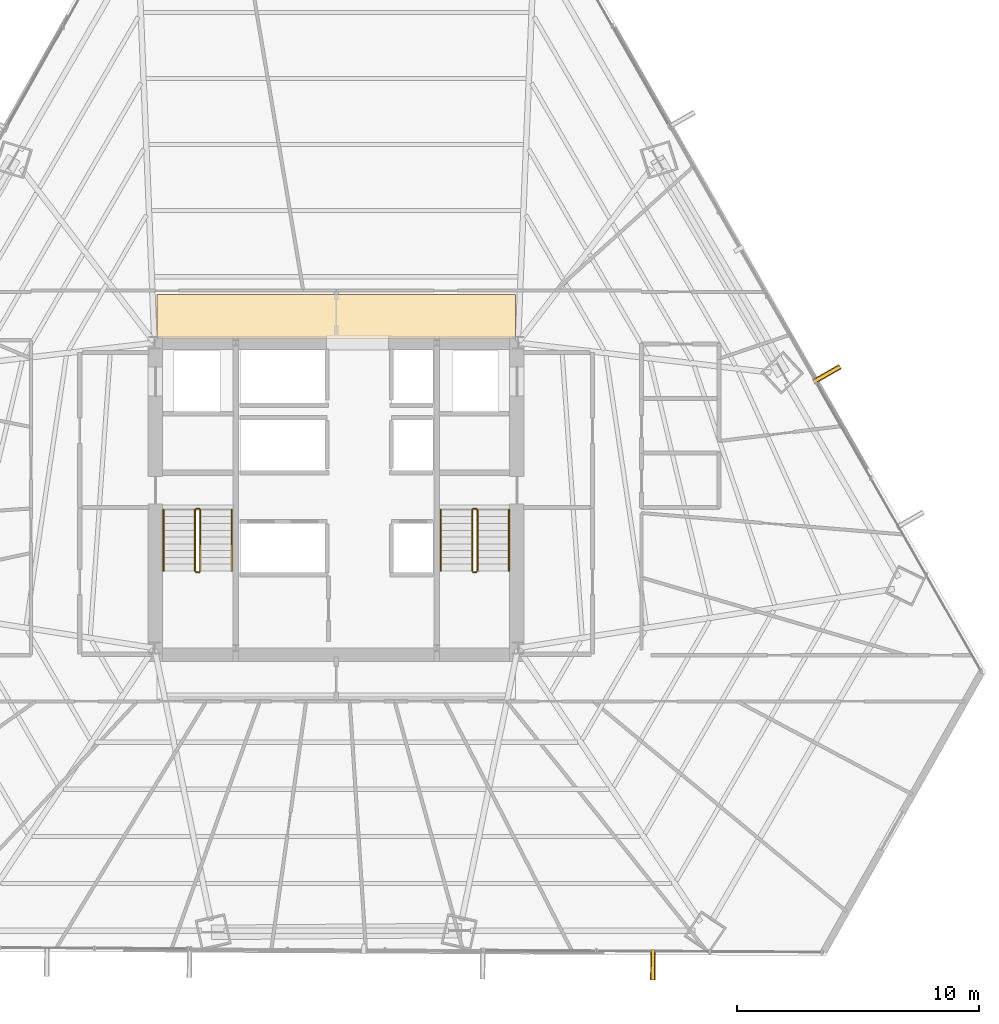
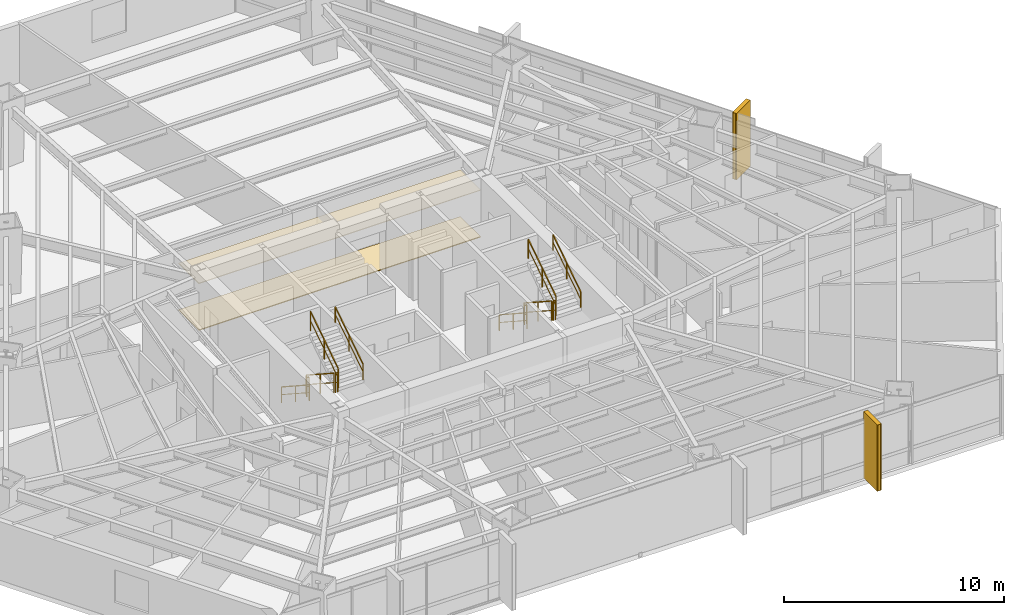
# One storey, part 38 of 39: 12 railings, 4 coverings, 2 shading devices.
"""IFC4 building model written with IfcOpenShell, lengths in metres."""

from ifc_helpers import new_model, si_unit, direction, frame, origin, origin_2d, place, context, subcontext, project, spatial, polyline, rectangle, outline, extrude, source, transform, mapped, material, layer, layer_set, type_object, type_shapes, element, save


model = new_model("IFC4")

# Units and contexts
model_context = context("Model", 3, precision=1e-05, world=origin(), true_north=direction((0.0, 1.0)))
body_context = subcontext(model_context, "Body", "Model", "MODEL_VIEW")
ifc_project = project(units=[si_unit("LENGTHUNIT", "METRE"), si_unit("AREAUNIT", "SQUARE_METRE"), si_unit("VOLUMEUNIT", "CUBIC_METRE"), si_unit("PLANEANGLEUNIT", "RADIAN"), si_unit("MASSUNIT", "GRAM", prefix="KILO")], contexts=[model_context])

# Site, building, storey
site_placement = place(None, origin())
site = spatial("IfcSite", under=ifc_project, at=site_placement, CompositionType="ELEMENT")
building_placement = place(site_placement, origin())
building = spatial("IfcBuilding", under=site, at=building_placement, Name="Caelisora Broadcast Tower", CompositionType="ELEMENT")
storey_placement = place(building_placement, frame((0.0, 0.0, 71.39990234375)))
storey = spatial("IfcBuildingStorey", under=building, at=storey_placement, Name="L18", CompositionType="ELEMENT", Elevation=71.39990234375)

# Coverings
ifc_material_1 = material(Name="Perforated Mineral-Fibre Acoustic Ceiling Tile", Category="gypsum")
ifc_layer_1 = layer(ifc_material_1, 0.034912109375, Name="Perforated Mineral-Fibre Acoustic Ceiling Tile")
ifc_layer_set_1 = layer_set([ifc_layer_1], Name="Perforated Mineral-Fibre Acoustic Ceiling Tile")
covering_type_1 = type_object("IfcCoveringType", Name="CE-1", PredefinedType="CEILING", material=ifc_layer_set_1)
covering_1_placement = place(storey_placement, frame((0.0, 0.0, 2.60009765625)))
element("IfcCovering", 1, at=covering_1_placement, inside=storey, type_object=covering_type_1, Name="L18 acoustic corridor ceiling CE-1 (N)", PredefinedType="CEILING", context=body_context, shape_type="SweptSolid", body=[
    extrude(outline(polyline([(30.60009765625, 30.14990234375), (45.39990234375, 30.14990234375), (45.39990234375, 32.0), (30.60009765625, 32.0), (30.60009765625, 30.14990234375)])), origin(), (0.0, 0.0, 1.0), 0.034912109375),
])
ifc_material_2 = material(Name="Anti-Static Broadcast Raised Access Floor Panel", Category="steel")
ifc_layer_2 = layer(ifc_material_2, 0.044921875, Name="Anti-Static Broadcast Raised Access Floor Panel")
ifc_layer_set_2 = layer_set([ifc_layer_2], Name="Anti-Static Broadcast Raised Access Floor Panel")
covering_type_2 = type_object("IfcCoveringType", Name="FL-1", PredefinedType="FLOORING", material=ifc_layer_set_2)
covering_2_placement = place(storey_placement, origin())
element("IfcCovering", 2, at=covering_2_placement, inside=storey, type_object=covering_type_2, Name="L18 broadcast raised access floor FL-1 (N)", PredefinedType="FLOORING", context=body_context, shape_type="SweptSolid", body=[
    extrude(outline(polyline([(30.60009765625, 30.14990234375), (45.39990234375, 30.14990234375), (45.39990234375, 32.0), (30.60009765625, 32.0), (30.60009765625, 30.14990234375)])), origin(), (0.0, 0.0, 1.0), 0.045166015625),
])

# Railings
ifc_material_3 = material(Name="Galvanised Steel Safety Guardrail", Category="steel")
ifc_layer_3 = layer(ifc_material_3, 0.048095703125, Name="Galvanised Steel Safety Guardrail")
ifc_layer_set_3 = layer_set([ifc_layer_3], Name="Galvanised Steel Safety Guardrail")
railing_type_1 = type_object("IfcRailingType", Name="GR-1", PredefinedType="GUARDRAIL", material=ifc_layer_set_3)
railing_1_placement = place(storey_placement, frame((32.169921875, 23.10009765625, 0.1826171875)))
element("IfcRailing", 3, at=railing_1_placement, inside=storey, type_object=railing_type_1, Name="L18 ST-1 stair guard 1", PredefinedType="GUARDRAIL", context=body_context, shape_type="SweptSolid", body=[
    extrude(rectangle(XDim=0.048095703125, YDim=0.048095703125, at=origin_2d()), frame((0.0, 0.0, 1.076171875), z_axis=(0.0, -0.837749427056, 0.546054848405), x_axis=(1.0, 0.0, 0.0)), (0.0, 0.0, 1.0), 3.008056640625),
    extrude(rectangle(XDim=0.03125, YDim=0.03125, at=origin_2d()), frame((0.0, 0.0, 0.550048828125), z_axis=(0.0, -0.837749427056, 0.546054848405), x_axis=(1.0, 0.0, 0.0)), (0.0, 0.0, 1.0), 3.008056640625),
    extrude(rectangle(XDim=0.0419921875, YDim=0.0419921875, at=origin_2d()), origin(), (0.0, 0.0, 1.0), 1.052001953125),
    extrude(rectangle(XDim=0.0419921875, YDim=0.0419921875, at=origin_2d()), frame((0.0, -1.260009765625, 0.8212890625)), (0.0, 0.0, 1.0), 1.052001953125),
    extrude(rectangle(XDim=0.0419921875, YDim=0.0419921875, at=origin_2d()), frame((0.0, -2.52001953125, 1.642578125)), (0.0, 0.0, 1.0), 1.052001953125),
])
railing_2_placement = place(storey_placement, frame((32.219970703125, 20.530029296875, 1.8251953125)))
element("IfcRailing", 4, at=railing_2_placement, inside=storey, type_object=railing_type_1, Name="L18 ST-1 stair guard 2", PredefinedType="GUARDRAIL", context=body_context, shape_type="SweptSolid", body=[
    extrude(rectangle(XDim=0.048095703125, YDim=0.048095703125, at=origin_2d()), frame((0.0, 0.0, 1.076171875), z_axis=(1.0, 0.0, 0.0), x_axis=(0.0, 1.0, 0.0)), (0.0, 0.0, 1.0), 0.1201171875),
    extrude(rectangle(XDim=0.03125, YDim=0.03125, at=origin_2d()), frame((0.0, 0.0, 0.550048828125), z_axis=(1.0, 0.0, 0.0), x_axis=(0.0, 1.0, 0.0)), (0.0, 0.0, 1.0), 0.1201171875),
    extrude(rectangle(XDim=0.0419921875, YDim=0.0419921875, at=origin_2d()), origin(), (0.0, 0.0, 1.0), 1.052001953125),
    extrude(rectangle(XDim=0.0419921875, YDim=0.0419921875, at=origin_2d()), frame((0.1201171875, 0.0, 0.0)), (0.0, 0.0, 1.0), 1.052001953125),
])
railing_3_placement = place(storey_placement, frame((32.389892578125, 20.580078125, 2.007568359375)))
element("IfcRailing", 5, at=railing_3_placement, inside=storey, type_object=railing_type_1, Name="L18 ST-1 stair guard 3", PredefinedType="GUARDRAIL", context=body_context, shape_type="SweptSolid", body=[
    extrude(rectangle(XDim=0.048095703125, YDim=0.048095703125, at=origin_2d()), frame((0.0, 0.0, 1.076171875), z_axis=(0.0, 0.837749427056, 0.546054848405), x_axis=(-1.0, 0.0, 0.0)), (0.0, 0.0, 1.0), 3.008056640625),
    extrude(rectangle(XDim=0.03125, YDim=0.03125, at=origin_2d()), frame((0.0, 0.0, 0.550048828125), z_axis=(0.0, 0.837749427056, 0.546054848405), x_axis=(-1.0, 0.0, 0.0)), (0.0, 0.0, 1.0), 3.008056640625),
    extrude(rectangle(XDim=0.0419921875, YDim=0.0419921875, at=origin_2d()), origin(), (0.0, 0.0, 1.0), 1.052001953125),
    extrude(rectangle(XDim=0.0419921875, YDim=0.0419921875, at=origin_2d()), frame((0.0, 1.260009765625, 0.8212890625)), (0.0, 0.0, 1.0), 1.052001953125),
    extrude(rectangle(XDim=0.0419921875, YDim=0.0419921875, at=origin_2d()), frame((0.0, 2.52001953125, 1.642578125)), (0.0, 0.0, 1.0), 1.052001953125),
])
railing_4_placement = place(storey_placement, frame((32.219970703125, 23.14990234375, 0.0)))
element("IfcRailing", 6, at=railing_4_placement, inside=storey, type_object=railing_type_1, Name="L18 ST-1 stair guard 4", PredefinedType="GUARDRAIL", context=body_context, shape_type="SweptSolid", body=[
    extrude(rectangle(XDim=0.048095703125, YDim=0.048095703125, at=origin_2d()), frame((0.0, 0.0, 1.076171875), z_axis=(1.0, 0.0, 0.0), x_axis=(0.0, 1.0, 0.0)), (0.0, 0.0, 1.0), 0.1201171875),
    extrude(rectangle(XDim=0.03125, YDim=0.03125, at=origin_2d()), frame((0.0, 0.0, 0.550048828125), z_axis=(1.0, 0.0, 0.0), x_axis=(0.0, 1.0, 0.0)), (0.0, 0.0, 1.0), 0.1201171875),
    extrude(rectangle(XDim=0.0419921875, YDim=0.0419921875, at=origin_2d()), origin(), (0.0, 0.0, 1.0), 1.052001953125),
    extrude(rectangle(XDim=0.0419921875, YDim=0.0419921875, at=origin_2d()), frame((0.1201171875, 0.0, 0.0)), (0.0, 0.0, 1.0), 1.052001953125),
])
railing_5_placement = place(storey_placement, frame((43.610107421875, 23.10009765625, 0.1826171875)))
element("IfcRailing", 7, at=railing_5_placement, inside=storey, type_object=railing_type_1, Name="L18 ST-2 stair guard 1", PredefinedType="GUARDRAIL", context=body_context, shape_type="SweptSolid", body=[
    extrude(rectangle(XDim=0.048095703125, YDim=0.048095703125, at=origin_2d()), frame((0.0, 0.0, 1.076171875), z_axis=(0.0, -0.837749427056, 0.546054848405), x_axis=(1.0, 0.0, 0.0)), (0.0, 0.0, 1.0), 3.008056640625),
    extrude(rectangle(XDim=0.03125, YDim=0.03125, at=origin_2d()), frame((0.0, 0.0, 0.550048828125), z_axis=(0.0, -0.837749427056, 0.546054848405), x_axis=(1.0, 0.0, 0.0)), (0.0, 0.0, 1.0), 3.008056640625),
    extrude(rectangle(XDim=0.0419921875, YDim=0.0419921875, at=origin_2d()), origin(), (0.0, 0.0, 1.0), 1.052001953125),
    extrude(rectangle(XDim=0.0419921875, YDim=0.0419921875, at=origin_2d()), frame((0.0, -1.260009765625, 0.8212890625)), (0.0, 0.0, 1.0), 1.052001953125),
    extrude(rectangle(XDim=0.0419921875, YDim=0.0419921875, at=origin_2d()), frame((0.0, -2.52001953125, 1.642578125)), (0.0, 0.0, 1.0), 1.052001953125),
])
railing_6_placement = place(storey_placement, frame((43.659912109375, 20.530029296875, 1.8251953125)))
element("IfcRailing", 8, at=railing_6_placement, inside=storey, type_object=railing_type_1, Name="L18 ST-2 stair guard 2", PredefinedType="GUARDRAIL", context=body_context, shape_type="SweptSolid", body=[
    extrude(rectangle(XDim=0.048095703125, YDim=0.048095703125, at=origin_2d()), frame((0.0, 0.0, 1.076171875), z_axis=(1.0, 0.0, 0.0), x_axis=(0.0, 1.0, 0.0)), (0.0, 0.0, 1.0), 0.1201171875),
    extrude(rectangle(XDim=0.03125, YDim=0.03125, at=origin_2d()), frame((0.0, 0.0, 0.550048828125), z_axis=(1.0, 0.0, 0.0), x_axis=(0.0, 1.0, 0.0)), (0.0, 0.0, 1.0), 0.1201171875),
    extrude(rectangle(XDim=0.0419921875, YDim=0.0419921875, at=origin_2d()), origin(), (0.0, 0.0, 1.0), 1.052001953125),
    extrude(rectangle(XDim=0.0419921875, YDim=0.0419921875, at=origin_2d()), frame((0.1201171875, 0.0, 0.0)), (0.0, 0.0, 1.0), 1.052001953125),
])
railing_7_placement = place(storey_placement, frame((43.830078125, 20.580078125, 2.007568359375)))
element("IfcRailing", 9, at=railing_7_placement, inside=storey, type_object=railing_type_1, Name="L18 ST-2 stair guard 3", PredefinedType="GUARDRAIL", context=body_context, shape_type="SweptSolid", body=[
    extrude(rectangle(XDim=0.048095703125, YDim=0.048095703125, at=origin_2d()), frame((0.0, 0.0, 1.076171875), z_axis=(0.0, 0.837749427056, 0.546054848405), x_axis=(-1.0, 0.0, 0.0)), (0.0, 0.0, 1.0), 3.008056640625),
    extrude(rectangle(XDim=0.03125, YDim=0.03125, at=origin_2d()), frame((0.0, 0.0, 0.550048828125), z_axis=(0.0, 0.837749427056, 0.546054848405), x_axis=(-1.0, 0.0, 0.0)), (0.0, 0.0, 1.0), 3.008056640625),
    extrude(rectangle(XDim=0.0419921875, YDim=0.0419921875, at=origin_2d()), origin(), (0.0, 0.0, 1.0), 1.052001953125),
    extrude(rectangle(XDim=0.0419921875, YDim=0.0419921875, at=origin_2d()), frame((0.0, 1.260009765625, 0.8212890625)), (0.0, 0.0, 1.0), 1.052001953125),
    extrude(rectangle(XDim=0.0419921875, YDim=0.0419921875, at=origin_2d()), frame((0.0, 2.52001953125, 1.642578125)), (0.0, 0.0, 1.0), 1.052001953125),
])
railing_8_placement = place(storey_placement, frame((43.659912109375, 23.14990234375, 0.0)))
element("IfcRailing", 10, at=railing_8_placement, inside=storey, type_object=railing_type_1, Name="L18 ST-2 stair guard 4", PredefinedType="GUARDRAIL", context=body_context, shape_type="SweptSolid", body=[
    extrude(rectangle(XDim=0.048095703125, YDim=0.048095703125, at=origin_2d()), frame((0.0, 0.0, 1.076171875), z_axis=(1.0, 0.0, 0.0), x_axis=(0.0, 1.0, 0.0)), (0.0, 0.0, 1.0), 0.1201171875),
    extrude(rectangle(XDim=0.03125, YDim=0.03125, at=origin_2d()), frame((0.0, 0.0, 0.550048828125), z_axis=(1.0, 0.0, 0.0), x_axis=(0.0, 1.0, 0.0)), (0.0, 0.0, 1.0), 0.1201171875),
    extrude(rectangle(XDim=0.0419921875, YDim=0.0419921875, at=origin_2d()), origin(), (0.0, 0.0, 1.0), 1.052001953125),
    extrude(rectangle(XDim=0.0419921875, YDim=0.0419921875, at=origin_2d()), frame((0.1201171875, 0.0, 0.0)), (0.0, 0.0, 1.0), 1.052001953125),
])
ifc_material_4 = material(Name="Stainless Steel Grade 316 Tubular Handrail", Category="steel")
ifc_layer_4 = layer(ifc_material_4, 0.048095703125, Name="Stainless Steel Grade 316 Tubular Handrail")
ifc_layer_set_4 = layer_set([ifc_layer_4], Name="Stainless Steel Grade 316 Tubular Handrail")
railing_type_2 = type_object("IfcRailingType", Name="HR-1", PredefinedType="HANDRAIL", material=ifc_layer_set_4)
railing_9_placement = place(storey_placement, frame((30.8701171875, 23.10009765625, 0.1826171875)))
element("IfcRailing", 11, at=railing_9_placement, inside=storey, type_object=railing_type_2, Name="L18 ST-1 stair handrail 1", PredefinedType="HANDRAIL", context=body_context, shape_type="SweptSolid", body=[
    extrude(rectangle(XDim=0.048095703125, YDim=0.048095703125, at=origin_2d()), frame((0.0, 0.0, 0.8759765625), z_axis=(0.0, -0.837749427056, 0.546054848405), x_axis=(1.0, 0.0, 0.0)), (0.0, 0.0, 1.0), 3.008056640625),
    extrude(rectangle(XDim=0.03125, YDim=0.03125, at=origin_2d()), frame((0.0, 0.0, 0.449951171875), z_axis=(0.0, -0.837749427056, 0.546054848405), x_axis=(1.0, 0.0, 0.0)), (0.0, 0.0, 1.0), 3.008056640625),
    extrude(rectangle(XDim=0.0419921875, YDim=0.0419921875, at=origin_2d()), origin(), (0.0, 0.0, 1.0), 0.851806640625),
    extrude(rectangle(XDim=0.0419921875, YDim=0.0419921875, at=origin_2d()), frame((0.0, -1.260009765625, 0.8212890625)), (0.0, 0.0, 1.0), 0.851806640625),
    extrude(rectangle(XDim=0.0419921875, YDim=0.0419921875, at=origin_2d()), frame((0.0, -2.52001953125, 1.642578125)), (0.0, 0.0, 1.0), 0.851806640625),
])
railing_10_placement = place(storey_placement, frame((33.68994140625, 20.580078125, 2.007568359375)))
element("IfcRailing", 12, at=railing_10_placement, inside=storey, type_object=railing_type_2, Name="L18 ST-1 stair handrail 2", PredefinedType="HANDRAIL", context=body_context, shape_type="SweptSolid", body=[
    extrude(rectangle(XDim=0.048095703125, YDim=0.048095703125, at=origin_2d()), frame((0.0, 0.0, 0.8759765625), z_axis=(0.0, 0.837749427056, 0.546054848405), x_axis=(-1.0, 0.0, 0.0)), (0.0, 0.0, 1.0), 3.008056640625),
    extrude(rectangle(XDim=0.03125, YDim=0.03125, at=origin_2d()), frame((0.0, 0.0, 0.449951171875), z_axis=(0.0, 0.837749427056, 0.546054848405), x_axis=(-1.0, 0.0, 0.0)), (0.0, 0.0, 1.0), 3.008056640625),
    extrude(rectangle(XDim=0.0419921875, YDim=0.0419921875, at=origin_2d()), origin(), (0.0, 0.0, 1.0), 0.851806640625),
    extrude(rectangle(XDim=0.0419921875, YDim=0.0419921875, at=origin_2d()), frame((0.0, 1.260009765625, 0.8212890625)), (0.0, 0.0, 1.0), 0.851806640625),
    extrude(rectangle(XDim=0.0419921875, YDim=0.0419921875, at=origin_2d()), frame((0.0, 2.52001953125, 1.642578125)), (0.0, 0.0, 1.0), 0.851806640625),
])
railing_11_placement = place(storey_placement, frame((42.31005859375, 23.10009765625, 0.1826171875)))
element("IfcRailing", 13, at=railing_11_placement, inside=storey, type_object=railing_type_2, Name="L18 ST-2 stair handrail 1", PredefinedType="HANDRAIL", context=body_context, shape_type="SweptSolid", body=[
    extrude(rectangle(XDim=0.048095703125, YDim=0.048095703125, at=origin_2d()), frame((0.0, 0.0, 0.8759765625), z_axis=(0.0, -0.837749427056, 0.546054848405), x_axis=(1.0, 0.0, 0.0)), (0.0, 0.0, 1.0), 3.008056640625),
    extrude(rectangle(XDim=0.03125, YDim=0.03125, at=origin_2d()), frame((0.0, 0.0, 0.449951171875), z_axis=(0.0, -0.837749427056, 0.546054848405), x_axis=(1.0, 0.0, 0.0)), (0.0, 0.0, 1.0), 3.008056640625),
    extrude(rectangle(XDim=0.0419921875, YDim=0.0419921875, at=origin_2d()), origin(), (0.0, 0.0, 1.0), 0.851806640625),
    extrude(rectangle(XDim=0.0419921875, YDim=0.0419921875, at=origin_2d()), frame((0.0, -1.260009765625, 0.8212890625)), (0.0, 0.0, 1.0), 0.851806640625),
    extrude(rectangle(XDim=0.0419921875, YDim=0.0419921875, at=origin_2d()), frame((0.0, -2.52001953125, 1.642578125)), (0.0, 0.0, 1.0), 0.851806640625),
])
railing_12_placement = place(storey_placement, frame((45.1298828125, 20.580078125, 2.007568359375)))
element("IfcRailing", 14, at=railing_12_placement, inside=storey, type_object=railing_type_2, Name="L18 ST-2 stair handrail 2", PredefinedType="HANDRAIL", context=body_context, shape_type="SweptSolid", body=[
    extrude(rectangle(XDim=0.048095703125, YDim=0.048095703125, at=origin_2d()), frame((0.0, 0.0, 0.8759765625), z_axis=(0.0, 0.837749427056, 0.546054848405), x_axis=(-1.0, 0.0, 0.0)), (0.0, 0.0, 1.0), 3.008056640625),
    extrude(rectangle(XDim=0.03125, YDim=0.03125, at=origin_2d()), frame((0.0, 0.0, 0.449951171875), z_axis=(0.0, 0.837749427056, 0.546054848405), x_axis=(-1.0, 0.0, 0.0)), (0.0, 0.0, 1.0), 3.008056640625),
    extrude(rectangle(XDim=0.0419921875, YDim=0.0419921875, at=origin_2d()), origin(), (0.0, 0.0, 1.0), 0.851806640625),
    extrude(rectangle(XDim=0.0419921875, YDim=0.0419921875, at=origin_2d()), frame((0.0, 1.260009765625, 0.8212890625)), (0.0, 0.0, 1.0), 0.851806640625),
    extrude(rectangle(XDim=0.0419921875, YDim=0.0419921875, at=origin_2d()), frame((0.0, 2.52001953125, 1.642578125)), (0.0, 0.0, 1.0), 0.851806640625),
])

# Coverings
ifc_material_5 = material(Name="Kiln-Fired Terracotta Spandrel Rainscreen Cladding", Category="ceramic")
ifc_layer_5 = layer(ifc_material_5, 0.044921875, Name="Kiln-Fired Terracotta Spandrel Rainscreen Cladding")
ifc_layer_set_5 = layer_set([ifc_layer_5], Name="Kiln-Fired Terracotta Spandrel Rainscreen Cladding")
covering_type_3 = type_object("IfcCoveringType", Name="CL-1", PredefinedType="CLADDING", material=ifc_layer_set_5)
shared_shape_1 = source(origin(), body_context, "Body", "SweptSolid", [
    extrude(rectangle(XDim=0.219970703125, YDim=1.25, at=origin_2d()), origin(), (0.0, 0.0, 1.0), 3.68994140625),
])
type_shapes(covering_type_3, [shared_shape_1])
for number, where, z_axis, x_axis, name in (
    (15, (58.254638671875, 28.7021484375, -0.019775390625), (0.0, 0.0, 1.0), (0.49667102347, -0.867938877136, 0.0), "L18 vertical solar fin cladding #1-3"),
    (16, (51.072509765625, 4.325439453125, -0.019775390625), (0.0, 0.0, 1.0), (-0.999985363169, 0.005410494284, 0.0), "L18 vertical solar fin cladding #2-1"),
):
    element("IfcCovering", number, at=place(storey_placement, frame(where, z_axis=z_axis, x_axis=x_axis)), inside=storey, type_object=covering_type_3, Name=name, PredefinedType="CLADDING", context=body_context, shape_type="MappedRepresentation", body=[
        mapped(shared_shape_1, transform((0.0, 0.0, 0.0), scale=1.0)),
    ])

# Shading devices
ifc_material_6 = material(Name="Extruded Terracotta Flaring Colonnade Fin", Category="ceramic")
ifc_layer_6 = layer(ifc_material_6, 0.139892578125, Name="Extruded Terracotta Flaring Colonnade Fin")
ifc_layer_set_6 = layer_set([ifc_layer_6], Name="Extruded Terracotta Flaring Colonnade Fin")
shading_device_type = type_object("IfcShadingDeviceType", Name="FN-1", PredefinedType="USERDEFINED", material=ifc_layer_set_6)
shared_shape_2 = source(origin(), body_context, "Body", "SweptSolid", [
    extrude(rectangle(XDim=0.139892578125, YDim=1.25, at=origin_2d()), origin(), (0.0, 0.0, 1.0), 3.669921875),
])
type_shapes(shading_device_type, [shared_shape_2])
for number, where, z_axis, x_axis, name in (
    (17, (58.254638671875, 28.7021484375, -0.009765625), (0.0, 0.0, 1.0), (0.49667102347, -0.867938877136, 0.0), "L18 vertical terracotta fin #1-3"),
    (18, (51.072509765625, 4.325439453125, -0.009765625), (0.0, 0.0, 1.0), (-0.999985363169, 0.005410494284, 0.0), "L18 vertical terracotta fin #2-1"),
):
    element("IfcShadingDevice", number, at=place(storey_placement, frame(where, z_axis=z_axis, x_axis=x_axis)), inside=storey, type_object=shading_device_type, Name=name, ObjectType="FIN", PredefinedType="USERDEFINED", context=body_context, shape_type="MappedRepresentation", body=[
        mapped(shared_shape_2, transform((0.0, 0.0, 0.0), scale=1.0)),
    ])

save(model, "model.ifc")
